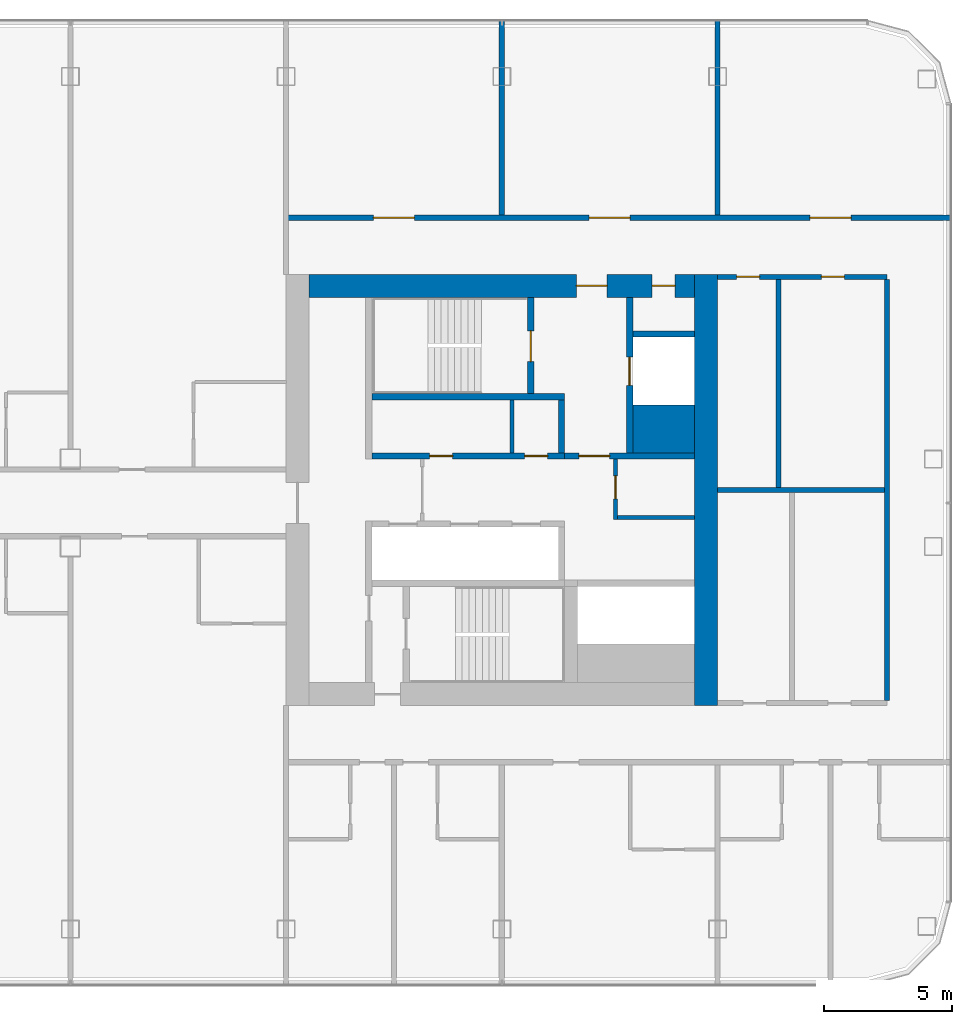
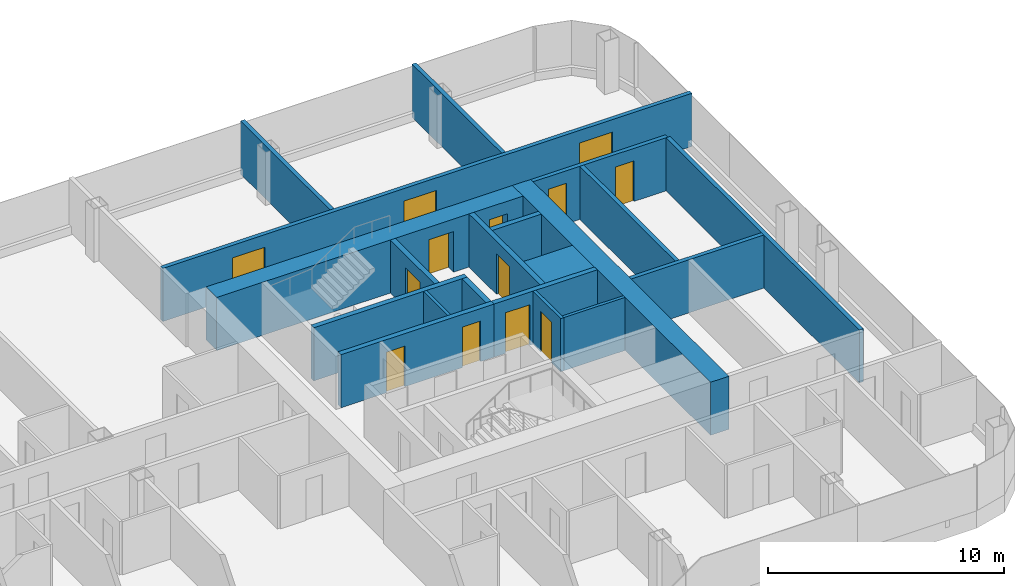
# One storey, part 17 of 26: 20 walls, 13 doors, 13 openings.
"""IFC4 building model written with IfcOpenShell, lengths in metres."""

from ifc_helpers import new_model, si_unit, direction, frame, frame_2d, origin, place, context, subcontext, project, spatial, rectangle, extrude, material, layer, layer_set, type_object, element, fill, save


model = new_model("IFC4")

# Units and contexts
model_context = context("Model", 3, precision=1e-05, world=origin(), true_north=direction((0.0, 1.0)))
body_context = subcontext(model_context, "Body", "Model", "MODEL_VIEW")
ifc_project = project(units=[si_unit("LENGTHUNIT", "METRE"), si_unit("AREAUNIT", "SQUARE_METRE"), si_unit("VOLUMEUNIT", "CUBIC_METRE"), si_unit("PLANEANGLEUNIT", "RADIAN"), si_unit("MASSUNIT", "GRAM", prefix="KILO")], contexts=[model_context])

# Site, building, storey
site_placement = place(None, origin())
site = spatial("IfcSite", under=ifc_project, at=site_placement, CompositionType="ELEMENT")
building_placement = place(site_placement, origin())
building = spatial("IfcBuilding", under=site, at=building_placement, Name="Hakoniwa Tower and Hamabe Station Hall", CompositionType="ELEMENT")
storey_placement = place(building_placement, frame((0.0, 0.0, 140.60009765625)))
storey = spatial("IfcBuildingStorey", under=building, at=storey_placement, Name="L39", CompositionType="ELEMENT", Elevation=140.60009765625)

# Wall, opening, door
ifc_material_1 = material(Name="Gypsum board partition")
ifc_layer_1 = layer(ifc_material_1, 0.14990234375)
ifc_layer_set_1 = layer_set([ifc_layer_1], Name="CORE PARTITION 150 EI 60")
wall_type_1 = type_object("IfcWallType", Name="CORE PARTITION 150 EI 60", PredefinedType="PARTITIONING", material=ifc_layer_set_1)
wall_1_placement = place(storey_placement, frame((29.625, -1.14990234375, 0.0), z_axis=(0.0, 0.0, 1.0), x_axis=(0.0, 1.0, 0.0)))
wall_1 = element("IfcWall", 1, at=wall_1_placement, inside=storey, type_object=wall_type_1, Name="Core partition PW0 east", PredefinedType="PARTITIONING", context=body_context, shape_type="SweptSolid", body=[
    extrude(rectangle(XDim=2.349853515625, YDim=0.14990234375, at=frame_2d((1.1748046875, 0.0))), origin(), (0.0, 0.0, 1.0), 2.75),
])
opening_1_placement = place(wall_1_placement, frame((0.800048828125, 0.0, 0.0)))
opening_1 = element("IfcOpeningElement", 2, at=opening_1_placement, cuts=wall_1, Name="Opening CD-E-RM1-9", PredefinedType="OPENING", context=body_context, shape_type="SweptSolid", body=[
    extrude(rectangle(XDim=0.89990234375, YDim=2.10009765625, at=frame_2d((0.449951171875, 1.050048828125))), frame((0.0, 0.0849609375, 0.0), z_axis=(0.0, -1.0, 0.0), x_axis=(1.0, 0.0, 0.0)), (0.0, 0.0, 1.0), 0.169921875),
])
ifc_material_2 = material(Name="Steel fire door", Category="steel")
door_type_1 = type_object("IfcDoorType", Name="CORE DOOR 900 FD30", OperationType="NOTDEFINED", PredefinedType="DOOR", material=ifc_material_2)
door_1_placement = place(opening_1_placement, origin())
door_1 = element("IfcDoor", 3, at=door_1_placement, inside=storey, type_object=door_type_1, Name="Store room door", OperationType="SINGLE_SWING_LEFT", OverallHeight=2.10009765625, OverallWidth=0.89990234375, PredefinedType="DOOR", context=body_context, shape_type="SweptSolid", body=[
    extrude(rectangle(XDim=0.89990234375, YDim=2.10009765625, at=frame_2d((0.449951171875, 1.050048828125))), frame((0.0, 0.02490234375, 0.0), z_axis=(0.0, -1.0, 0.0), x_axis=(1.0, 0.0, 0.0)), (0.0, 0.0, 1.0), 0.050048828125),
])
fill(opening_1, door_1)

# Walls
wall_2_placement = place(storey_placement, frame((29.699951171875, -1.074951171875, 0.0), z_axis=(0.0, 0.0, 1.0), x_axis=(1.0, 0.0, 0.0)))
element("IfcWall", 4, at=wall_2_placement, inside=storey, type_object=wall_type_1, Name="Core partition PS east", PredefinedType="PARTITIONING", context=body_context, shape_type="SweptSolid", body=[
    extrude(rectangle(XDim=3.0, YDim=0.14990234375, at=frame_2d((1.5, 0.0))), origin(), (0.0, 0.0, 1.0), 2.75),
])
wall_3_placement = place(storey_placement, frame((25.60009765625, 1.449951171875, 0.0), z_axis=(0.0, 0.0, 1.0), x_axis=(0.0, 1.0, 0.0)))
element("IfcWall", 5, at=wall_3_placement, inside=storey, type_object=wall_type_1, Name="Core partition PFLR0 east", PredefinedType="PARTITIONING", context=body_context, shape_type="SweptSolid", body=[
    extrude(rectangle(XDim=2.050048828125, YDim=0.14990234375, at=frame_2d((1.02490234375, 0.0))), origin(), (0.0, 0.0, 1.0), 2.75),
])
ifc_material_3 = material(Name="Concrete C66", Category="concrete")
ifc_layer_2 = layer(ifc_material_3, 0.89990234375)
ifc_layer_set_2 = layer_set([ifc_layer_2], Name="CORE WALL 900 C66")
wall_type_2 = type_object("IfcWallType", Name="CORE WALL 900 C66", PredefinedType="SHEAR", material=ifc_layer_set_2)
wall_4_placement = place(storey_placement, frame((33.14990234375, -8.39990234375, 0.0), z_axis=(0.0, 0.0, 1.0), x_axis=(0.0, 1.0, 0.0)))
element("IfcWall", 6, at=wall_4_placement, inside=storey, type_object=wall_type_2, Name="Core wall OUTER east", PredefinedType="SHEAR", context=body_context, shape_type="SweptSolid", body=[
    extrude(rectangle(XDim=16.7998046875, YDim=0.89990234375, at=frame_2d((8.39990234375, 0.0))), origin(), (0.0, 0.0, 1.0), 2.75),
])

# Wall, openings, doors
wall_5_placement = place(storey_placement, frame((17.699951171875, 7.949951171875, 0.0), z_axis=(0.0, 0.0, 1.0), x_axis=(1.0, 0.0, 0.0)))
wall_5 = element("IfcWall", 7, at=wall_5_placement, inside=storey, type_object=wall_type_2, Name="Core wall NORTH east", PredefinedType="SHEAR", context=body_context, shape_type="SweptSolid", body=[
    extrude(rectangle(XDim=15.0, YDim=0.89990234375, at=frame_2d((7.5, 0.0))), origin(), (0.0, 0.0, 1.0), 2.75),
])
opening_2_placement = place(wall_5_placement, frame((10.39990234375, 0.0, 0.0)))
opening_2 = element("IfcOpeningElement", 8, at=opening_2_placement, cuts=wall_5, Name="Opening CD-E-FN1-12", PredefinedType="OPENING", context=body_context, shape_type="SweptSolid", body=[
    extrude(rectangle(XDim=1.199951171875, YDim=2.10009765625, at=frame_2d((0.60009765625, 1.050048828125))), frame((0.0, 0.4599609375, 0.0), z_axis=(0.0, -1.0, 0.0), x_axis=(1.0, 0.0, 0.0)), (0.0, 0.0, 1.0), 0.919921875),
])
opening_3_placement = place(wall_5_placement, frame((13.35009765625, 0.0, 0.0)))
opening_3 = element("IfcOpeningElement", 9, at=opening_3_placement, cuts=wall_5, Name="Opening CD-E-FN2-9", PredefinedType="OPENING", context=body_context, shape_type="SweptSolid", body=[
    extrude(rectangle(XDim=0.89990234375, YDim=2.10009765625, at=frame_2d((0.449951171875, 1.050048828125))), frame((0.0, 0.4599609375, 0.0), z_axis=(0.0, -1.0, 0.0), x_axis=(1.0, 0.0, 0.0)), (0.0, 0.0, 1.0), 0.919921875),
])
ifc_material_4 = material(Name="Steel fire door", Category="steel")
door_type_2 = type_object("IfcDoorType", Name="CORE DOOR 1200 FD60", OperationType="DOUBLE_DOOR_SINGLE_SWING", PredefinedType="DOOR", material=ifc_material_4)
door_2_placement = place(opening_2_placement, origin())
door_2 = element("IfcDoor", 10, at=door_2_placement, inside=storey, type_object=door_type_2, Name="Stair vestibule door to the fire-fighting lobby", OperationType="DOUBLE_DOOR_SINGLE_SWING", OverallHeight=2.10009765625, OverallWidth=1.199951171875, PredefinedType="DOOR", context=body_context, shape_type="SweptSolid", body=[
    extrude(rectangle(XDim=1.199951171875, YDim=2.10009765625, at=frame_2d((0.60009765625, 1.050048828125))), frame((0.0, 0.02490234375, 0.0), z_axis=(0.0, -1.0, 0.0), x_axis=(1.0, 0.0, 0.0)), (0.0, 0.0, 1.0), 0.050048828125),
])
fill(opening_2, door_2)
door_3_placement = place(opening_3_placement, origin())
door_3 = element("IfcDoor", 11, at=door_3_placement, inside=storey, type_object=door_type_1, Name="Riser access door", OperationType="SINGLE_SWING_LEFT", OverallHeight=2.10009765625, OverallWidth=0.89990234375, PredefinedType="DOOR", context=body_context, shape_type="SweptSolid", body=[
    extrude(rectangle(XDim=0.89990234375, YDim=2.10009765625, at=frame_2d((0.449951171875, 1.050048828125))), frame((0.0, 0.02490234375, 0.0), z_axis=(0.0, -1.0, 0.0), x_axis=(1.0, 0.0, 0.0)), (0.0, 0.0, 1.0), 0.050048828125),
])
fill(opening_3, door_3)

# Wall
ifc_material_5 = material(Name="Concrete C66", Category="concrete")
ifc_layer_3 = layer(ifc_material_5, 1.85009765625)
ifc_layer_set_3 = layer_set([ifc_layer_3], Name="CORE WEB WALL 1850 C66")
wall_type_3 = type_object("IfcWallType", Name="CORE WEB WALL 1850 C66", PredefinedType="SHEAR", material=ifc_layer_set_3)
wall_6_placement = place(storey_placement, frame((30.300048828125, 2.375, 0.0), z_axis=(0.0, 0.0, 1.0), x_axis=(1.0, 0.0, 0.0)))
element("IfcWall", 12, at=wall_6_placement, inside=storey, type_object=wall_type_3, Name="Core wall CA east", PredefinedType="SHEAR", context=body_context, shape_type="SweptSolid", body=[
    extrude(rectangle(XDim=2.39990234375, YDim=1.85009765625, at=frame_2d((1.199951171875, 0.0))), origin(), (0.0, 0.0, 1.0), 2.75),
])

# Wall, openings, doors
ifc_material_6 = material(Name="Concrete C66", Category="concrete")
ifc_layer_4 = layer(ifc_material_6, 0.25)
ifc_layer_set_4 = layer_set([ifc_layer_4], Name="CORE WEB WALL 250 C66")
wall_type_4 = type_object("IfcWallType", Name="CORE WEB WALL 250 C66", PredefinedType="SHEAR", material=ifc_layer_set_4)
wall_7_placement = place(storey_placement, frame((20.14990234375, 1.324951171875, 0.0), z_axis=(0.0, 0.0, 1.0), x_axis=(1.0, 0.0, 0.0)))
wall_7 = element("IfcWall", 13, at=wall_7_placement, inside=storey, type_object=wall_type_4, Name="Core wall NF east", PredefinedType="SHEAR", context=body_context, shape_type="SweptSolid", body=[
    extrude(rectangle(XDim=7.5, YDim=0.25, at=frame_2d((3.75, 0.0))), origin(), (0.0, 0.0, 1.0), 2.75),
])
opening_4_placement = place(wall_7_placement, frame((2.237548828125, 0.0, 0.0)))
opening_4 = element("IfcOpeningElement", 14, at=opening_4_placement, cuts=wall_7, Name="Opening CD-E-FRLR0-9", PredefinedType="OPENING", context=body_context, shape_type="SweptSolid", body=[
    extrude(rectangle(XDim=0.89990234375, YDim=2.10009765625, at=frame_2d((0.449951171875, 1.050048828125))), frame((0.0, 0.135009765625, 0.0), z_axis=(0.0, -1.0, 0.0), x_axis=(1.0, 0.0, 0.0)), (0.0, 0.0, 1.0), 0.27001953125),
])
opening_5_placement = place(wall_7_placement, frame((5.9375, 0.0, 0.0)))
opening_5 = element("IfcOpeningElement", 15, at=opening_5_placement, cuts=wall_7, Name="Opening CD-E-FRLR1-9", PredefinedType="OPENING", context=body_context, shape_type="SweptSolid", body=[
    extrude(rectangle(XDim=0.89990234375, YDim=2.10009765625, at=frame_2d((0.449951171875, 1.050048828125))), frame((0.0, 0.135009765625, 0.0), z_axis=(0.0, -1.0, 0.0), x_axis=(1.0, 0.0, 0.0)), (0.0, 0.0, 1.0), 0.27001953125),
])
door_4_placement = place(opening_4_placement, origin())
door_4 = element("IfcDoor", 16, at=door_4_placement, inside=storey, type_object=door_type_1, Name="Store room door", OperationType="SINGLE_SWING_RIGHT", OverallHeight=2.10009765625, OverallWidth=0.89990234375, PredefinedType="DOOR", context=body_context, shape_type="SweptSolid", body=[
    extrude(rectangle(XDim=0.89990234375, YDim=2.10009765625, at=frame_2d((0.449951171875, 1.050048828125))), frame((0.0, 0.02490234375, 0.0), z_axis=(0.0, -1.0, 0.0), x_axis=(1.0, 0.0, 0.0)), (0.0, 0.0, 1.0), 0.050048828125),
])
fill(opening_4, door_4)
door_5_placement = place(opening_5_placement, origin())
door_5 = element("IfcDoor", 17, at=door_5_placement, inside=storey, type_object=door_type_1, Name="Store room door", OperationType="SINGLE_SWING_LEFT", OverallHeight=2.10009765625, OverallWidth=0.89990234375, PredefinedType="DOOR", context=body_context, shape_type="SweptSolid", body=[
    extrude(rectangle(XDim=0.89990234375, YDim=2.10009765625, at=frame_2d((0.449951171875, 1.050048828125))), frame((0.0, 0.02490234375, 0.0), z_axis=(0.0, -1.0, 0.0), x_axis=(1.0, 0.0, 0.0)), (0.0, 0.0, 1.0), 0.050048828125),
])
fill(opening_5, door_5)

# Walls
wall_8_placement = place(storey_placement, frame((27.52490234375, 1.449951171875, 0.0), z_axis=(0.0, 0.0, 1.0), x_axis=(0.0, 1.0, 0.0)))
element("IfcWall", 18, at=wall_8_placement, inside=storey, type_object=wall_type_4, Name="Core wall NE east", PredefinedType="SHEAR", context=body_context, shape_type="SweptSolid", body=[
    extrude(rectangle(XDim=2.050048828125, YDim=0.25, at=frame_2d((1.02490234375, 0.0))), origin(), (0.0, 0.0, 1.0), 2.75),
])
wall_9_placement = place(storey_placement, frame((20.14990234375, 3.625, 0.0), z_axis=(0.0, 0.0, 1.0), x_axis=(1.0, 0.0, 0.0)))
element("IfcWall", 19, at=wall_9_placement, inside=storey, type_object=wall_type_4, Name="Core wall NR east", PredefinedType="SHEAR", context=body_context, shape_type="SweptSolid", body=[
    extrude(rectangle(XDim=7.5, YDim=0.25, at=frame_2d((3.75, 0.0))), origin(), (0.0, 0.0, 1.0), 2.75),
])

# Wall, opening, door
wall_10_placement = place(storey_placement, frame((26.324951171875, 3.75, 0.0), z_axis=(0.0, 0.0, 1.0), x_axis=(0.0, 1.0, 0.0)))
wall_10 = element("IfcWall", 20, at=wall_10_placement, inside=storey, type_object=wall_type_4, Name="Core wall NSE east", PredefinedType="SHEAR", context=body_context, shape_type="SweptSolid", body=[
    extrude(rectangle(XDim=3.75, YDim=0.25, at=frame_2d((1.875, 0.0))), origin(), (0.0, 0.0, 1.0), 2.75),
])
opening_6_placement = place(wall_10_placement, frame((1.25, 0.0, 0.0)))
opening_6 = element("IfcOpeningElement", 21, at=opening_6_placement, cuts=wall_10, Name="Opening CD-E-SN-12", PredefinedType="OPENING", context=body_context, shape_type="SweptSolid", body=[
    extrude(rectangle(XDim=1.199951171875, YDim=2.10009765625, at=frame_2d((0.60009765625, 1.050048828125))), frame((0.0, 0.135009765625, 0.0), z_axis=(0.0, -1.0, 0.0), x_axis=(1.0, 0.0, 0.0)), (0.0, 0.0, 1.0), 0.27001953125),
])
door_6_placement = place(opening_6_placement, origin())
door_6 = element("IfcDoor", 22, at=door_6_placement, inside=storey, type_object=door_type_2, Name="Escape stair door", OperationType="DOUBLE_DOOR_SINGLE_SWING", OverallHeight=2.10009765625, OverallWidth=1.199951171875, PredefinedType="DOOR", context=body_context, shape_type="SweptSolid", body=[
    extrude(rectangle(XDim=1.199951171875, YDim=2.10009765625, at=frame_2d((0.60009765625, 1.050048828125))), frame((0.0, 0.02490234375, 0.0), z_axis=(0.0, -1.0, 0.0), x_axis=(1.0, 0.0, 0.0)), (0.0, 0.0, 1.0), 0.050048828125),
])
fill(opening_6, door_6)

wall_11_placement = place(storey_placement, frame((27.64990234375, 1.324951171875, 0.0), z_axis=(0.0, 0.0, 1.0), x_axis=(1.0, 0.0, 0.0)))
wall_11 = element("IfcWall", 23, at=wall_11_placement, inside=storey, type_object=wall_type_4, Name="Core wall ELN east", PredefinedType="SHEAR", context=body_context, shape_type="SweptSolid", body=[
    extrude(rectangle(XDim=5.050048828125, YDim=0.25, at=frame_2d((2.52490234375, 0.0))), origin(), (0.0, 0.0, 1.0), 2.75),
])
opening_7_placement = place(wall_11_placement, frame((0.550048828125, 0.0, 0.0)))
opening_7 = element("IfcOpeningElement", 24, at=opening_7_placement, cuts=wall_11, Name="Opening CD-E-FL-12", PredefinedType="OPENING", context=body_context, shape_type="SweptSolid", body=[
    extrude(rectangle(XDim=1.199951171875, YDim=2.10009765625, at=frame_2d((0.60009765625, 1.050048828125))), frame((0.0, 0.135009765625, 0.0), z_axis=(0.0, -1.0, 0.0), x_axis=(1.0, 0.0, 0.0)), (0.0, 0.0, 1.0), 0.27001953125),
])
door_7_placement = place(opening_7_placement, origin())
door_7 = element("IfcDoor", 25, at=door_7_placement, inside=storey, type_object=door_type_2, Name="Stair vestibule door to the fire-fighting lobby", OperationType="DOUBLE_DOOR_SINGLE_SWING", OverallHeight=2.10009765625, OverallWidth=1.199951171875, PredefinedType="DOOR", context=body_context, shape_type="SweptSolid", body=[
    extrude(rectangle(XDim=1.199951171875, YDim=2.10009765625, at=frame_2d((0.60009765625, 1.050048828125))), frame((0.0, 0.02490234375, 0.0), z_axis=(0.0, -1.0, 0.0), x_axis=(1.0, 0.0, 0.0)), (0.0, 0.0, 1.0), 0.050048828125),
])
fill(opening_7, door_7)

wall_12_placement = place(storey_placement, frame((30.175048828125, 1.449951171875, 0.0), z_axis=(0.0, 0.0, 1.0), x_axis=(0.0, 1.0, 0.0)))
wall_12 = element("IfcWall", 26, at=wall_12_placement, inside=storey, type_object=wall_type_4, Name="Core wall FFF east", PredefinedType="SHEAR", context=body_context, shape_type="SweptSolid", body=[
    extrude(rectangle(XDim=6.050048828125, YDim=0.25, at=frame_2d((3.02490234375, 0.0))), origin(), (0.0, 0.0, 1.0), 2.75),
])
opening_8_placement = place(wall_12_placement, frame((2.625, 0.0, 0.0)))
opening_8 = element("IfcOpeningElement", 27, at=opening_8_placement, cuts=wall_12, Name="Opening LD-FF2", PredefinedType="OPENING", context=body_context, shape_type="SweptSolid", body=[
    extrude(rectangle(XDim=1.10009765625, YDim=2.10009765625, at=frame_2d((0.550048828125, 1.050048828125))), frame((0.0, 0.135009765625, 0.0), z_axis=(0.0, -1.0, 0.0), x_axis=(1.0, 0.0, 0.0)), (0.0, 0.0, 1.0), 0.27001953125),
])
ifc_material_7 = material(Name="Stainless steel SUS304", Category="steel")
door_type_3 = type_object("IfcDoorType", Name="LIFT LANDING DOOR 1100 FD60", OperationType="DOUBLE_DOOR_SLIDING", PredefinedType="DOOR", material=ifc_material_7)
door_8_placement = place(opening_8_placement, origin())
door_8 = element("IfcDoor", 28, at=door_8_placement, inside=storey, type_object=door_type_3, Name="Lift landing door FF2 L39", OperationType="DOUBLE_DOOR_SLIDING", OverallHeight=2.10009765625, OverallWidth=1.10009765625, PredefinedType="DOOR", context=body_context, shape_type="SweptSolid", body=[
    extrude(rectangle(XDim=1.10009765625, YDim=2.10009765625, at=frame_2d((0.550048828125, 1.050048828125))), frame((0.0, 0.02490234375, 0.0), z_axis=(0.0, -1.0, 0.0), x_axis=(1.0, 0.0, 0.0)), (0.0, 0.0, 1.0), 0.050048828125),
])
fill(opening_8, door_8)

# Wall
wall_13_placement = place(storey_placement, frame((30.300048828125, 6.074951171875, 0.0), z_axis=(0.0, 0.0, 1.0), x_axis=(1.0, 0.0, 0.0)))
element("IfcWall", 29, at=wall_13_placement, inside=storey, type_object=wall_type_4, Name="Core wall C2 east", PredefinedType="SHEAR", context=body_context, shape_type="SweptSolid", body=[
    extrude(rectangle(XDim=2.39990234375, YDim=0.25, at=frame_2d((1.199951171875, 0.0))), origin(), (0.0, 0.0, 1.0), 2.75),
])

# Wall, openings, doors
ifc_material_8 = material(Name="Fire-rated gypsum board partition", Category="gypsum")
ifc_layer_5 = layer(ifc_material_8, 0.199951171875)
ifc_layer_set_5 = layer_set([ifc_layer_5], Name="Corridor Wall 200")
wall_type_5 = type_object("IfcWallType", Name="Corridor Wall 200", PredefinedType="PARTITIONING", material=ifc_layer_set_5)
wall_14_placement = place(storey_placement, frame((33.60009765625, 8.300048828125, 0.0), z_axis=(0.0, 0.0, 1.0), x_axis=(1.0, 0.0, 0.0)))
wall_14 = element("IfcWall", 30, at=wall_14_placement, inside=storey, type_object=wall_type_5, Name="GW-L39-030", PredefinedType="PARTITIONING", context=body_context, shape_type="SweptSolid", body=[
    extrude(rectangle(XDim=6.599853515625, YDim=0.199951171875, at=frame_2d((3.2998046875, 0.0))), origin(), (0.0, 0.0, 1.0), 2.75),
])
opening_9_placement = place(wall_14_placement, frame((0.739990234375, 0.0, 0.0)))
opening_9 = element("IfcOpeningElement", 31, at=opening_9_placement, cuts=wall_14, Name="Opening GD-G3D0-33", PredefinedType="OPENING", context=body_context, shape_type="SweptSolid", body=[
    extrude(rectangle(XDim=0.89990234375, YDim=2.10009765625, at=frame_2d((0.449951171875, 1.050048828125))), frame((0.0, 0.10986328125, 0.0), z_axis=(0.0, -1.0, 0.0), x_axis=(1.0, 0.0, 0.0)), (0.0, 0.0, 1.0), 0.219970703125),
])
opening_10_placement = place(wall_14_placement, frame((4.0400390625, 0.0, 0.0)))
opening_10 = element("IfcOpeningElement", 32, at=opening_10_placement, cuts=wall_14, Name="Opening GD-G3D0-34", PredefinedType="OPENING", context=body_context, shape_type="SweptSolid", body=[
    extrude(rectangle(XDim=0.89990234375, YDim=2.10009765625, at=frame_2d((0.449951171875, 1.050048828125))), frame((0.0, 0.10986328125, 0.0), z_axis=(0.0, -1.0, 0.0), x_axis=(1.0, 0.0, 0.0)), (0.0, 0.0, 1.0), 0.219970703125),
])
ifc_material_9 = material(Name="Timber door leaf", Category="wood")
door_type_4 = type_object("IfcDoorType", Name="Service Door 900", OperationType="SINGLE_SWING_LEFT", PredefinedType="DOOR", material=ifc_material_9)
door_9_placement = place(opening_9_placement, origin())
door_9 = element("IfcDoor", 33, at=door_9_placement, inside=storey, type_object=door_type_4, Name="Door GD-G3D0-33", OperationType="SINGLE_SWING_RIGHT", OverallHeight=2.10009765625, OverallWidth=0.89990234375, PredefinedType="DOOR", context=body_context, shape_type="SweptSolid", body=[
    extrude(rectangle(XDim=0.89990234375, YDim=2.10009765625, at=frame_2d((0.449951171875, 1.050048828125))), frame((0.0, 0.02490234375, 0.0), z_axis=(0.0, -1.0, 0.0), x_axis=(1.0, 0.0, 0.0)), (0.0, 0.0, 1.0), 0.050048828125),
])
fill(opening_9, door_9)
door_10_placement = place(opening_10_placement, origin())
door_10 = element("IfcDoor", 34, at=door_10_placement, inside=storey, type_object=door_type_4, Name="Door GD-G3D0-34", OperationType="SINGLE_SWING_LEFT", OverallHeight=2.10009765625, OverallWidth=0.89990234375, PredefinedType="DOOR", context=body_context, shape_type="SweptSolid", body=[
    extrude(rectangle(XDim=0.89990234375, YDim=2.10009765625, at=frame_2d((0.449951171875, 1.050048828125))), frame((0.0, 0.02490234375, 0.0), z_axis=(0.0, -1.0, 0.0), x_axis=(1.0, 0.0, 0.0)), (0.0, 0.0, 1.0), 0.050048828125),
])
fill(opening_10, door_10)

wall_15_placement = place(storey_placement, frame((16.800048828125, 10.60009765625, 0.0), z_axis=(0.0, 0.0, 1.0), x_axis=(1.0, 0.0, 0.0)))
wall_15 = element("IfcWall", 35, at=wall_15_placement, inside=storey, type_object=wall_type_5, Name="GW-L39-032", PredefinedType="PARTITIONING", context=body_context, shape_type="SweptSolid", body=[
    extrude(rectangle(XDim=25.89990234375, YDim=0.199951171875, at=frame_2d((12.949951171875, 0.0))), origin(), (0.0, 0.0, 1.0), 2.75),
])
opening_11_placement = place(wall_15_placement, frame((3.39990234375, 0.0, 0.0)))
opening_11 = element("IfcOpeningElement", 36, at=opening_11_placement, cuts=wall_15, Name="Opening GD-G3D0-41", PredefinedType="OPENING", context=body_context, shape_type="SweptSolid", body=[
    extrude(rectangle(XDim=1.60009765625, YDim=2.10009765625, at=frame_2d((0.800048828125, 1.050048828125))), frame((0.0, 0.10986328125, 0.0), z_axis=(0.0, -1.0, 0.0), x_axis=(1.0, 0.0, 0.0)), (0.0, 0.0, 1.0), 0.219970703125),
])
opening_12_placement = place(wall_15_placement, frame((11.800048828125, 0.0, 0.0)))
opening_12 = element("IfcOpeningElement", 37, at=opening_12_placement, cuts=wall_15, Name="Opening GD-G3D0-42", PredefinedType="OPENING", context=body_context, shape_type="SweptSolid", body=[
    extrude(rectangle(XDim=1.60009765625, YDim=2.10009765625, at=frame_2d((0.800048828125, 1.050048828125))), frame((0.0, 0.10986328125, 0.0), z_axis=(0.0, -1.0, 0.0), x_axis=(1.0, 0.0, 0.0)), (0.0, 0.0, 1.0), 0.219970703125),
])
opening_13_placement = place(wall_15_placement, frame((20.39990234375, 0.0, 0.0)))
opening_13 = element("IfcOpeningElement", 38, at=opening_13_placement, cuts=wall_15, Name="Opening GD-G3D0-43", PredefinedType="OPENING", context=body_context, shape_type="SweptSolid", body=[
    extrude(rectangle(XDim=1.60009765625, YDim=2.10009765625, at=frame_2d((0.800048828125, 1.050048828125))), frame((0.0, 0.10986328125, 0.0), z_axis=(0.0, -1.0, 0.0), x_axis=(1.0, 0.0, 0.0)), (0.0, 0.0, 1.0), 0.219970703125),
])
ifc_material_10 = material(Name="Timber door leaf", Category="wood")
door_type_5 = type_object("IfcDoorType", Name="Double Door 1600", OperationType="DOUBLE_DOOR_SINGLE_SWING", PredefinedType="DOOR", material=ifc_material_10)
door_11_placement = place(opening_11_placement, origin())
door_11 = element("IfcDoor", 39, at=door_11_placement, inside=storey, type_object=door_type_5, Name="Door GD-G3D0-41", OperationType="DOUBLE_DOOR_SINGLE_SWING", OverallHeight=2.10009765625, OverallWidth=1.60009765625, PredefinedType="DOOR", context=body_context, shape_type="SweptSolid", body=[
    extrude(rectangle(XDim=1.60009765625, YDim=2.10009765625, at=frame_2d((0.800048828125, 1.050048828125))), frame((0.0, 0.02490234375, 0.0), z_axis=(0.0, -1.0, 0.0), x_axis=(1.0, 0.0, 0.0)), (0.0, 0.0, 1.0), 0.050048828125),
])
fill(opening_11, door_11)
door_12_placement = place(opening_12_placement, origin())
door_12 = element("IfcDoor", 40, at=door_12_placement, inside=storey, type_object=door_type_5, Name="Door GD-G3D0-42", OperationType="DOUBLE_DOOR_SINGLE_SWING", OverallHeight=2.10009765625, OverallWidth=1.60009765625, PredefinedType="DOOR", context=body_context, shape_type="SweptSolid", body=[
    extrude(rectangle(XDim=1.60009765625, YDim=2.10009765625, at=frame_2d((0.800048828125, 1.050048828125))), frame((0.0, 0.02490234375, 0.0), z_axis=(0.0, -1.0, 0.0), x_axis=(1.0, 0.0, 0.0)), (0.0, 0.0, 1.0), 0.050048828125),
])
fill(opening_12, door_12)
door_13_placement = place(opening_13_placement, origin())
door_13 = element("IfcDoor", 41, at=door_13_placement, inside=storey, type_object=door_type_5, Name="Door GD-G3D0-43", OperationType="DOUBLE_DOOR_SINGLE_SWING", OverallHeight=2.10009765625, OverallWidth=1.60009765625, PredefinedType="DOOR", context=body_context, shape_type="SweptSolid", body=[
    extrude(rectangle(XDim=1.60009765625, YDim=2.10009765625, at=frame_2d((0.800048828125, 1.050048828125))), frame((0.0, 0.02490234375, 0.0), z_axis=(0.0, -1.0, 0.0), x_axis=(1.0, 0.0, 0.0)), (0.0, 0.0, 1.0), 0.050048828125),
])
fill(opening_13, door_13)

# Walls
ifc_material_11 = material(Name="Fire-rated gypsum board partition", Category="gypsum")
ifc_layer_6 = layer(ifc_material_11, 0.199951171875)
ifc_layer_set_6 = layer_set([ifc_layer_6], Name="Party Wall 200")
wall_type_6 = type_object("IfcWallType", Name="Party Wall 200", PredefinedType="PARTITIONING", material=ifc_layer_set_6)
wall_16_placement = place(storey_placement, frame((33.60009765625, 0.0, 0.0), z_axis=(0.0, 0.0, 1.0), x_axis=(1.0, 0.0, 0.0)))
element("IfcWall", 42, at=wall_16_placement, inside=storey, type_object=wall_type_6, Name="GW-L39-021", PredefinedType="PARTITIONING", context=body_context, shape_type="SweptSolid", body=[
    extrude(rectangle(XDim=6.5, YDim=0.199951171875, at=frame_2d((3.25, 0.0))), origin(), (0.0, 0.0, 1.0), 2.75),
])
for number, where, z_axis, x_axis, name in (
    (43, (25.199951171875, 10.699951171875, 0.0), (0.0, 0.0, 1.0), (0.0, 1.0, 0.0), "GW-L39-077"),
    (44, (33.60009765625, 10.699951171875, 0.0), (0.0, 0.0, 1.0), (0.0, 1.0, 0.0), "GW-L39-080"),
):
    element("IfcWall", number, at=place(storey_placement, frame(where, z_axis=z_axis, x_axis=x_axis)), inside=storey, type_object=wall_type_6, Name=name, PredefinedType="PARTITIONING", context=body_context, shape_type="SweptSolid", body=[
        extrude(rectangle(XDim=7.60009765625, YDim=0.199951171875, at=frame_2d((3.800048828125, 0.0))), origin(), (0.0, 0.0, 1.0), 2.75),
    ])
wall_17_placement = place(storey_placement, frame((35.97998046875, 0.0, 0.0), z_axis=(0.0, 0.0, 1.0), x_axis=(0.0, 1.0, 0.0)))
element("IfcWall", 45, at=wall_17_placement, inside=storey, type_object=wall_type_6, Name="GW-L39-081", PredefinedType="PARTITIONING", context=body_context, shape_type="SweptSolid", body=[
    extrude(rectangle(XDim=8.199951171875, YDim=0.199951171875, at=frame_2d((4.10009765625, 0.0))), origin(), (0.0, 0.0, 1.0), 2.75),
])
wall_18_placement = place(storey_placement, frame((40.199951171875, -8.199951171875, 0.0), z_axis=(0.0, 0.0, 1.0), x_axis=(0.0, 1.0, 0.0)))
element("IfcWall", 46, at=wall_18_placement, inside=storey, type_object=wall_type_6, Name="GW-L39-086", PredefinedType="PARTITIONING", context=body_context, shape_type="SweptSolid", body=[
    extrude(rectangle(XDim=16.39990234375, YDim=0.199951171875, at=frame_2d((8.199951171875, 0.0))), origin(), (0.0, 0.0, 1.0), 2.75),
])

save(model, "model.ifc")
